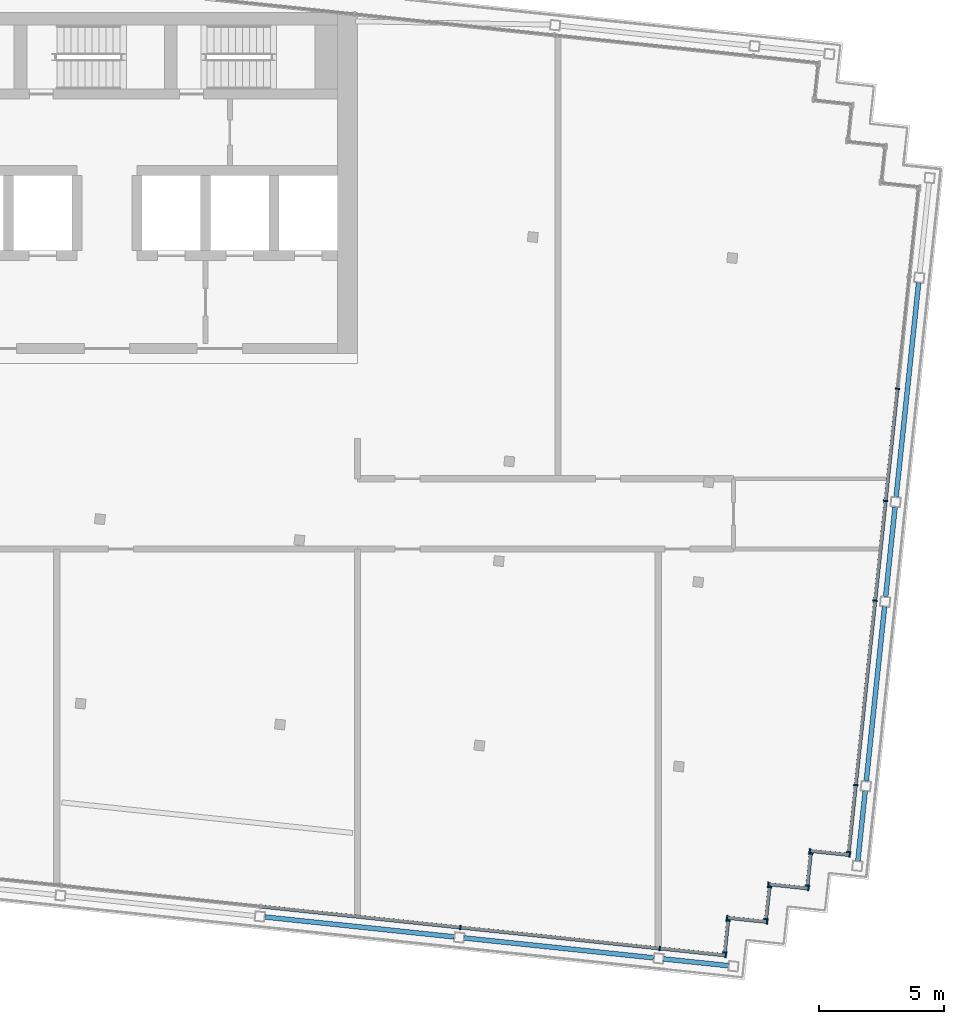
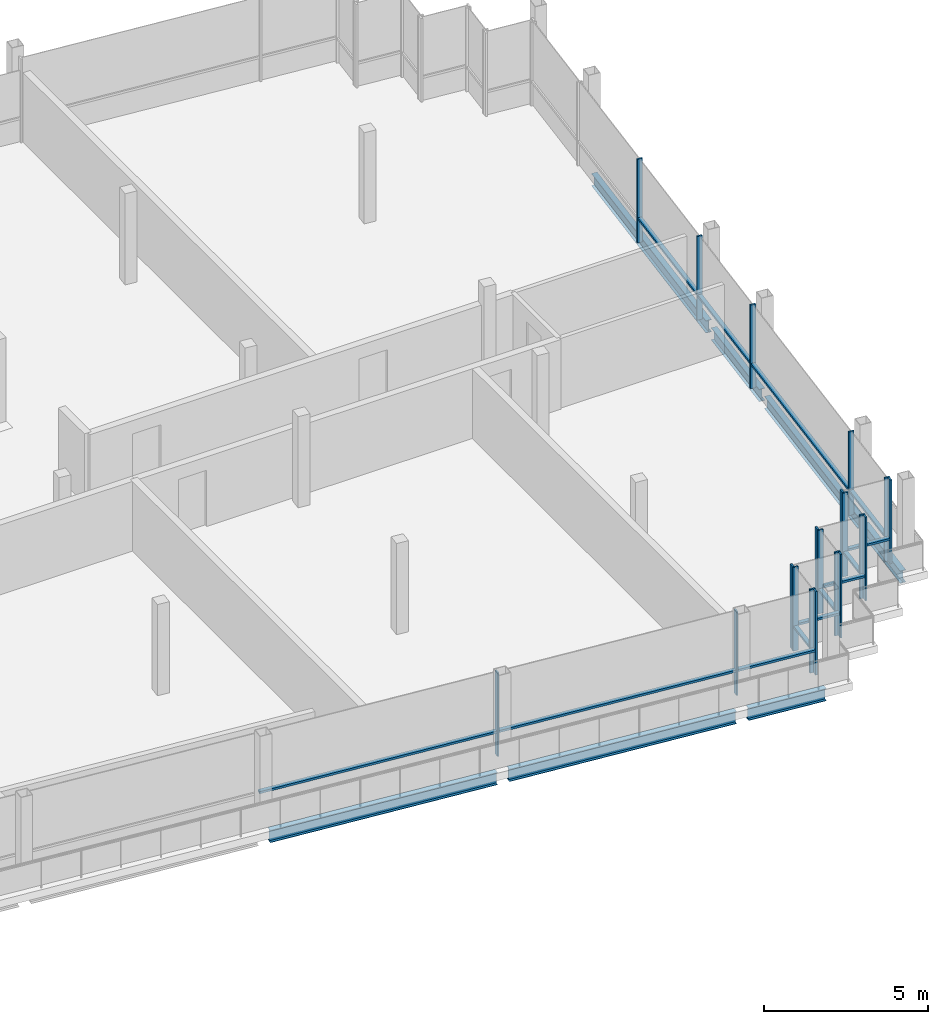
# One storey, part 5 of 15: 33 members, 7 beams, 8 elements without a shape of their own.
"""IFC4 building model written with IfcOpenShell, lengths in metres."""

from ifc_helpers import new_model, si_unit, direction, frame, origin, origin_2d, place, context, subcontext, project, spatial, rectangle, i_section, extrude, material, material_profile, profile_set, type_object, element, aggregate, save


model = new_model("IFC4")

# Units and contexts
model_context = context("Model", 3, precision=1e-05, world=origin(), true_north=direction((0.0, 1.0)))
body_context = subcontext(model_context, "Body", "Model", "MODEL_VIEW")
ifc_project = project(units=[si_unit("LENGTHUNIT", "METRE"), si_unit("AREAUNIT", "SQUARE_METRE"), si_unit("VOLUMEUNIT", "CUBIC_METRE"), si_unit("PLANEANGLEUNIT", "RADIAN"), si_unit("MASSUNIT", "GRAM", prefix="KILO")], contexts=[model_context])

# Site, building, storey
site_placement = place(None, origin())
site = spatial("IfcSite", under=ifc_project, at=site_placement, CompositionType="ELEMENT")
building_placement = place(site_placement, origin())
building = spatial("IfcBuilding", under=site, at=building_placement, Name="Vidyagriha Tower", CompositionType="ELEMENT")
storey_placement = place(building_placement, frame((0.0, 0.0, 294.89990234375)))
storey = spatial("IfcBuildingStorey", under=building, at=storey_placement, Name="L76", CompositionType="ELEMENT", Elevation=294.89990234375)

# Beams
ifc_material_1 = material(Name="Steel ASTM A992 Grade 50", Category="steel")
ifc_material_profile_1 = material_profile(ifc_material_1, i_section(OverallWidth=0.19189453125, OverallDepth=0.46240234375, WebThickness=0.010498046875, FlangeThickness=0.017578125, at=origin_2d()), Name="W18X60")
ifc_profile_set_1 = profile_set([ifc_material_profile_1], Name="Steel ASTM A992 Grade 50")
beam_type = type_object("IfcBeamType", Name="Edge beam W18X60", PredefinedType="SPANDREL", material=ifc_profile_set_1)
beam_1_placement = place(storey_placement, frame((6.299072265625, -16.085693359375, -0.510986328125), z_axis=(0.994521634953, -0.104530940926, 0.0), x_axis=(0.104530940926, 0.994521634953, 0.0)))
element("IfcBeam", 1, at=beam_1_placement, inside=storey, type_object=beam_type, Name="st-beam-L76-S05", PredefinedType="SPANDREL", context=body_context, shape_type="SweptSolid", body=[
    extrude(i_section(OverallWidth=0.19189453125, OverallDepth=0.46240234375, WebThickness=0.010498046875, FlangeThickness=0.017578125, at=origin_2d()), origin(), (0.0, 0.0, 1.0), 7.60009765625),
])
beam_2_placement = place(storey_placement, frame((14.255126953125, -16.922119140625, -0.510986328125), z_axis=(0.994524973995, -0.104499167945, 0.0), x_axis=(0.104499167945, 0.994524973995, 0.0)))
element("IfcBeam", 2, at=beam_2_placement, inside=storey, type_object=beam_type, Name="st-beam-L76-S06", PredefinedType="SPANDREL", context=body_context, shape_type="SweptSolid", body=[
    extrude(i_section(OverallWidth=0.19189453125, OverallDepth=0.46240234375, WebThickness=0.010498046875, FlangeThickness=0.017578125, at=origin_2d()), origin(), (0.0, 0.0, 1.0), 7.599853515625),
])
beam_3_placement = place(storey_placement, frame((22.211181640625, -17.75830078125, -0.510986328125), z_axis=(0.994524472508, -0.104503940512, 0.0), x_axis=(0.104503940512, 0.994524472508, 0.0)))
element("IfcBeam", 3, at=beam_3_placement, inside=storey, type_object=beam_type, Name="st-beam-L76-S07", PredefinedType="SPANDREL", context=body_context, shape_type="SweptSolid", body=[
    extrude(i_section(OverallWidth=0.19189453125, OverallDepth=0.46240234375, WebThickness=0.010498046875, FlangeThickness=0.017578125, at=origin_2d()), origin(), (0.0, 0.0, 1.0), 2.60009765625),
])
beam_4_placement = place(storey_placement, frame((29.962646484375, -13.846923828125, -0.510986328125), z_axis=(0.104553147, 0.994519300694, 0.0), x_axis=(-0.994519300694, 0.104553147, 0.0)))
element("IfcBeam", 4, at=beam_4_placement, inside=storey, type_object=beam_type, Name="st-beam-L76-E13", PredefinedType="SPANDREL", context=body_context, shape_type="SweptSolid", body=[
    extrude(i_section(OverallWidth=0.19189453125, OverallDepth=0.46240234375, WebThickness=0.010498046875, FlangeThickness=0.017578125, at=origin_2d()), origin(), (0.0, 0.0, 1.0), 2.7998046875),
])
beam_5_placement = place(storey_placement, frame((30.297119140625, -10.66455078125, -0.510986328125), z_axis=(0.104526832686, 0.994522066748, 0.0), x_axis=(-0.994522066748, 0.104526832686, 0.0)))
element("IfcBeam", 5, at=beam_5_placement, inside=storey, type_object=beam_type, Name="st-beam-L76-E14", PredefinedType="SPANDREL", context=body_context, shape_type="SweptSolid", body=[
    extrude(i_section(OverallWidth=0.19189453125, OverallDepth=0.46240234375, WebThickness=0.010498046875, FlangeThickness=0.017578125, at=origin_2d()), origin(), (0.0, 0.0, 1.0), 7.0),
])
beam_6_placement = place(storey_placement, frame((31.070556640625, -3.30517578125, -0.510986328125), z_axis=(0.104571819597, 0.994517337479, 0.0), x_axis=(-0.994517337479, 0.104571819597, 0.0)))
element("IfcBeam", 6, at=beam_6_placement, inside=storey, type_object=beam_type, Name="st-beam-L76-E15", PredefinedType="SPANDREL", context=body_context, shape_type="SweptSolid", body=[
    extrude(i_section(OverallWidth=0.19189453125, OverallDepth=0.46240234375, WebThickness=0.010498046875, FlangeThickness=0.017578125, at=origin_2d()), origin(), (0.0, 0.0, 1.0), 3.60009765625),
])
beam_7_placement = place(storey_placement, frame((31.48876953125, 0.673095703125, -0.510986328125), z_axis=(0.104528138401, 0.994521929513, 0.0), x_axis=(-0.994521929513, 0.104528138401, 0.0)))
element("IfcBeam", 7, at=beam_7_placement, inside=storey, type_object=beam_type, Name="st-beam-L76-E16", PredefinedType="SPANDREL", context=body_context, shape_type="SweptSolid", body=[
    extrude(i_section(OverallWidth=0.19189453125, OverallDepth=0.46240234375, WebThickness=0.010498046875, FlangeThickness=0.017578125, at=origin_2d()), origin(), (0.0, 0.0, 1.0), 8.599853515625),
])

# Curtain wall, members
ifc_material_2 = material(Name="Aluminium and glass curtain wall", Category="aluminium")
curtain_wall_type = type_object("IfcCurtainWallType", Name="Lantern glazing wall", PredefinedType="USERDEFINED", material=ifc_material_2)
curtain_wall_1_placement = place(storey_placement, origin())
curtain_wall_1 = element("IfcCurtainWall", 8, at=curtain_wall_1_placement, inside=storey, type_object=curtain_wall_type, Name="CW4 lantern glazing", ObjectType="STICK GLAZING", PredefinedType="USERDEFINED")
ifc_material_3 = material(Name="Aluminium black anodised", Category="aluminium")
ifc_material_profile_2 = material_profile(ifc_material_3, rectangle(XDim=0.179931640625, YDim=0.06005859375, at=origin_2d()), Name="Mullion 60x180 black aluminium")
ifc_profile_set_2 = profile_set([ifc_material_profile_2], Name="Aluminium black anodised")
member_type_1 = type_object("IfcMemberType", Name="Mullion 60x180 black aluminium", PredefinedType="MULLION", material=ifc_profile_set_2)
member_1_placement = place(storey_placement, frame((14.09814453125, -16.503173828125, 0.0), z_axis=(0.0, 0.0, 1.0), x_axis=(0.104528251556, 0.99452191762, 0.0)))
member_1 = element("IfcMember", 9, at=member_1_placement, type_object=member_type_1, Name="CW4 mullion 6", PredefinedType="MULLION", context=body_context, shape_type="SweptSolid", body=[
    extrude(rectangle(XDim=0.179931640625, YDim=0.06005859375, at=origin_2d()), origin(), (0.0, 0.0, 1.0), 3.1201171875),
])
member_2_placement = place(storey_placement, frame((22.05419921875, -17.33935546875, 0.0), z_axis=(0.0, 0.0, 1.0), x_axis=(0.104528251556, 0.99452191762, 0.0)))
member_2 = element("IfcMember", 10, at=member_2_placement, type_object=member_type_1, Name="CW4 mullion 7", PredefinedType="MULLION", context=body_context, shape_type="SweptSolid", body=[
    extrude(rectangle(XDim=0.179931640625, YDim=0.06005859375, at=origin_2d()), origin(), (0.0, 0.0, 1.0), 3.1201171875),
])
member_3_placement = place(storey_placement, frame((24.689697265625, -17.616455078125, 0.0), z_axis=(0.0, 0.0, 1.0), x_axis=(0.104528251556, 0.99452191762, 0.0)))
member_3 = element("IfcMember", 11, at=member_3_placement, type_object=member_type_1, Name="CW4 mullion 8", PredefinedType="MULLION", context=body_context, shape_type="SweptSolid", body=[
    extrude(rectangle(XDim=0.179931640625, YDim=0.06005859375, at=origin_2d()), origin(), (0.0, 0.0, 1.0), 3.1201171875),
])

curtain_wall_2_placement = place(storey_placement, origin())
curtain_wall_2 = element("IfcCurtainWall", 12, at=curtain_wall_2_placement, inside=storey, type_object=curtain_wall_type, Name="CW4 lantern glazing", ObjectType="STICK GLAZING", PredefinedType="USERDEFINED")
member_4_placement = place(storey_placement, frame((24.651611328125, -17.501953125, 0.0), z_axis=(0.0, 0.0, 1.0), x_axis=(-0.994518939392, 0.104556583677, 0.0)))
member_4 = element("IfcMember", 13, at=member_4_placement, type_object=member_type_1, Name="CW4 mullion 1", PredefinedType="MULLION", context=body_context, shape_type="SweptSolid", body=[
    extrude(rectangle(XDim=0.179931640625, YDim=0.06005859375, at=origin_2d()), origin(), (0.0, 0.0, 1.0), 3.1201171875),
])
member_5_placement = place(storey_placement, frame((24.785400390625, -16.22900390625, 0.0), z_axis=(0.0, 0.0, 1.0), x_axis=(-0.994518939392, 0.104556583677, 0.0)))
member_5 = element("IfcMember", 14, at=member_5_placement, type_object=member_type_1, Name="CW4 mullion 2", PredefinedType="MULLION", context=body_context, shape_type="SweptSolid", body=[
    extrude(rectangle(XDim=0.179931640625, YDim=0.06005859375, at=origin_2d()), origin(), (0.0, 0.0, 1.0), 3.1201171875),
])

curtain_wall_3_placement = place(storey_placement, origin())
curtain_wall_3 = element("IfcCurtainWall", 15, at=curtain_wall_3_placement, inside=storey, type_object=curtain_wall_type, Name="CW4 lantern glazing", ObjectType="STICK GLAZING", PredefinedType="USERDEFINED")
member_6_placement = place(storey_placement, frame((24.7470703125, -16.1142578125, 0.0), z_axis=(0.0, 0.0, 1.0), x_axis=(0.104518583201, 0.994522933756, 0.0)))
member_6 = element("IfcMember", 16, at=member_6_placement, type_object=member_type_1, Name="CW4 mullion 1", PredefinedType="MULLION", context=body_context, shape_type="SweptSolid", body=[
    extrude(rectangle(XDim=0.179931640625, YDim=0.06005859375, at=origin_2d()), origin(), (0.0, 0.0, 1.0), 3.1201171875),
])
member_7_placement = place(storey_placement, frame((26.33837890625, -16.281494140625, 0.0), z_axis=(0.0, 0.0, 1.0), x_axis=(0.104518583201, 0.994522933756, 0.0)))
member_7 = element("IfcMember", 17, at=member_7_placement, type_object=member_type_1, Name="CW4 mullion 2", PredefinedType="MULLION", context=body_context, shape_type="SweptSolid", body=[
    extrude(rectangle(XDim=0.179931640625, YDim=0.06005859375, at=origin_2d()), origin(), (0.0, 0.0, 1.0), 3.1201171875),
])

curtain_wall_4_placement = place(storey_placement, origin())
curtain_wall_4 = element("IfcCurtainWall", 18, at=curtain_wall_4_placement, inside=storey, type_object=curtain_wall_type, Name="CW4 lantern glazing", ObjectType="STICK GLAZING", PredefinedType="USERDEFINED")
member_8_placement = place(storey_placement, frame((26.300048828125, -16.1669921875, 0.0), z_axis=(0.0, 0.0, 1.0), x_axis=(-0.994519755162, 0.104548823962, 0.0)))
member_8 = element("IfcMember", 19, at=member_8_placement, type_object=member_type_1, Name="CW4 mullion 1", PredefinedType="MULLION", context=body_context, shape_type="SweptSolid", body=[
    extrude(rectangle(XDim=0.179931640625, YDim=0.06005859375, at=origin_2d()), origin(), (0.0, 0.0, 1.0), 3.1201171875),
])
member_9_placement = place(storey_placement, frame((26.43408203125, -14.89404296875, 0.0), z_axis=(0.0, 0.0, 1.0), x_axis=(-0.994519755162, 0.104548823962, 0.0)))
member_9 = element("IfcMember", 20, at=member_9_placement, type_object=member_type_1, Name="CW4 mullion 2", PredefinedType="MULLION", context=body_context, shape_type="SweptSolid", body=[
    extrude(rectangle(XDim=0.179931640625, YDim=0.06005859375, at=origin_2d()), origin(), (0.0, 0.0, 1.0), 3.1201171875),
])

curtain_wall_5_placement = place(storey_placement, origin())
curtain_wall_5 = element("IfcCurtainWall", 21, at=curtain_wall_5_placement, inside=storey, type_object=curtain_wall_type, Name="CW4 lantern glazing", ObjectType="STICK GLAZING", PredefinedType="USERDEFINED")
member_10_placement = place(storey_placement, frame((26.395751953125, -14.779296875, 0.0), z_axis=(0.0, 0.0, 1.0), x_axis=(0.104518583201, 0.994522933756, 0.0)))
member_10 = element("IfcMember", 22, at=member_10_placement, type_object=member_type_1, Name="CW4 mullion 1", PredefinedType="MULLION", context=body_context, shape_type="SweptSolid", body=[
    extrude(rectangle(XDim=0.179931640625, YDim=0.06005859375, at=origin_2d()), origin(), (0.0, 0.0, 1.0), 3.1201171875),
])
member_11_placement = place(storey_placement, frame((27.98681640625, -14.946533203125, 0.0), z_axis=(0.0, 0.0, 1.0), x_axis=(0.104518583201, 0.994522933756, 0.0)))
member_11 = element("IfcMember", 23, at=member_11_placement, type_object=member_type_1, Name="CW4 mullion 2", PredefinedType="MULLION", context=body_context, shape_type="SweptSolid", body=[
    extrude(rectangle(XDim=0.179931640625, YDim=0.06005859375, at=origin_2d()), origin(), (0.0, 0.0, 1.0), 3.1201171875),
])

curtain_wall_6_placement = place(storey_placement, origin())
curtain_wall_6 = element("IfcCurtainWall", 24, at=curtain_wall_6_placement, inside=storey, type_object=curtain_wall_type, Name="CW4 lantern glazing", ObjectType="STICK GLAZING", PredefinedType="USERDEFINED")
member_12_placement = place(storey_placement, frame((27.94873046875, -14.83203125, 0.0), z_axis=(0.0, 0.0, 1.0), x_axis=(-0.994519755162, 0.104548823962, 0.0)))
member_12 = element("IfcMember", 25, at=member_12_placement, type_object=member_type_1, Name="CW4 mullion 1", PredefinedType="MULLION", context=body_context, shape_type="SweptSolid", body=[
    extrude(rectangle(XDim=0.179931640625, YDim=0.06005859375, at=origin_2d()), origin(), (0.0, 0.0, 1.0), 3.1201171875),
])
member_13_placement = place(storey_placement, frame((28.08251953125, -13.558837890625, 0.0), z_axis=(0.0, 0.0, 1.0), x_axis=(-0.994519755162, 0.104548823962, 0.0)))
member_13 = element("IfcMember", 26, at=member_13_placement, type_object=member_type_1, Name="CW4 mullion 2", PredefinedType="MULLION", context=body_context, shape_type="SweptSolid", body=[
    extrude(rectangle(XDim=0.179931640625, YDim=0.06005859375, at=origin_2d()), origin(), (0.0, 0.0, 1.0), 3.1201171875),
])

curtain_wall_7_placement = place(storey_placement, origin())
curtain_wall_7 = element("IfcCurtainWall", 27, at=curtain_wall_7_placement, inside=storey, type_object=curtain_wall_type, Name="CW4 lantern glazing", ObjectType="STICK GLAZING", PredefinedType="USERDEFINED")
member_14_placement = place(storey_placement, frame((28.044189453125, -13.4443359375, 0.0), z_axis=(0.0, 0.0, 1.0), x_axis=(0.104512321721, 0.994523591781, 0.0)))
member_14 = element("IfcMember", 28, at=member_14_placement, type_object=member_type_1, Name="CW4 mullion 1", PredefinedType="MULLION", context=body_context, shape_type="SweptSolid", body=[
    extrude(rectangle(XDim=0.179931640625, YDim=0.06005859375, at=origin_2d()), origin(), (0.0, 0.0, 1.0), 3.1201171875),
])
member_15_placement = place(storey_placement, frame((29.635498046875, -13.611572265625, 0.0), z_axis=(0.0, 0.0, 1.0), x_axis=(0.104512321721, 0.994523591781, 0.0)))
member_15 = element("IfcMember", 29, at=member_15_placement, type_object=member_type_1, Name="CW4 mullion 2", PredefinedType="MULLION", context=body_context, shape_type="SweptSolid", body=[
    extrude(rectangle(XDim=0.179931640625, YDim=0.06005859375, at=origin_2d()), origin(), (0.0, 0.0, 1.0), 3.1201171875),
])

curtain_wall_8_placement = place(storey_placement, origin())
curtain_wall_8 = element("IfcCurtainWall", 30, at=curtain_wall_8_placement, inside=storey, type_object=curtain_wall_type, Name="CW4 lantern glazing", ObjectType="STICK GLAZING", PredefinedType="USERDEFINED")
member_16_placement = place(storey_placement, frame((29.59716796875, -13.4970703125, 0.0), z_axis=(0.0, 0.0, 1.0), x_axis=(-0.994522059728, 0.104526899479, 0.0)))
member_16 = element("IfcMember", 31, at=member_16_placement, type_object=member_type_1, Name="CW4 mullion 1", PredefinedType="MULLION", context=body_context, shape_type="SweptSolid", body=[
    extrude(rectangle(XDim=0.179931640625, YDim=0.06005859375, at=origin_2d()), origin(), (0.0, 0.0, 1.0), 3.1201171875),
])
member_17_placement = place(storey_placement, frame((29.87841796875, -10.82177734375, 0.0), z_axis=(0.0, 0.0, 1.0), x_axis=(-0.994522059728, 0.104526899479, 0.0)))
member_17 = element("IfcMember", 32, at=member_17_placement, type_object=member_type_1, Name="CW4 mullion 2", PredefinedType="MULLION", context=body_context, shape_type="SweptSolid", body=[
    extrude(rectangle(XDim=0.179931640625, YDim=0.06005859375, at=origin_2d()), origin(), (0.0, 0.0, 1.0), 3.1201171875),
])
member_18_placement = place(storey_placement, frame((30.65185546875, -3.462158203125, 0.0), z_axis=(0.0, 0.0, 1.0), x_axis=(-0.994522059728, 0.104526899479, 0.0)))
member_18 = element("IfcMember", 33, at=member_18_placement, type_object=member_type_1, Name="CW4 mullion 3", PredefinedType="MULLION", context=body_context, shape_type="SweptSolid", body=[
    extrude(rectangle(XDim=0.179931640625, YDim=0.06005859375, at=origin_2d()), origin(), (0.0, 0.0, 1.0), 3.1201171875),
])
member_19_placement = place(storey_placement, frame((31.070068359375, 0.515869140625, 0.0), z_axis=(0.0, 0.0, 1.0), x_axis=(-0.994522059728, 0.104526899479, 0.0)))
member_19 = element("IfcMember", 34, at=member_19_placement, type_object=member_type_1, Name="CW4 mullion 4", PredefinedType="MULLION", context=body_context, shape_type="SweptSolid", body=[
    extrude(rectangle(XDim=0.179931640625, YDim=0.06005859375, at=origin_2d()), origin(), (0.0, 0.0, 1.0), 3.1201171875),
])
member_20_placement = place(storey_placement, frame((31.540283203125, 4.9912109375, 0.0), z_axis=(0.0, 0.0, 1.0), x_axis=(-0.994522059728, 0.104526899479, 0.0)))
member_20 = element("IfcMember", 35, at=member_20_placement, type_object=member_type_1, Name="CW4 mullion 5", PredefinedType="MULLION", context=body_context, shape_type="SweptSolid", body=[
    extrude(rectangle(XDim=0.179931640625, YDim=0.06005859375, at=origin_2d()), origin(), (0.0, 0.0, 1.0), 3.1201171875),
])

# Member
ifc_material_4 = material(Name="Aluminium black anodised", Category="aluminium")
ifc_material_profile_3 = material_profile(ifc_material_4, rectangle(XDim=0.139892578125, YDim=0.080078125, at=origin_2d()), Name="Transom 80x140 black aluminium")
ifc_profile_set_3 = profile_set([ifc_material_profile_3], Name="Aluminium black anodised")
member_type_2 = type_object("IfcMemberType", Name="Transom 80x140 black aluminium", PredefinedType="USERDEFINED", material=ifc_profile_set_3)
member_21_placement = place(storey_placement, frame((6.171630859375, -15.670166015625, 0.900146484375), z_axis=(0.994523801804, -0.104510323151, 0.0), x_axis=(0.104510323151, 0.994523801804, 0.0)))
member_21 = element("IfcMember", 36, at=member_21_placement, type_object=member_type_2, Name="CW4 transom 5.1", ObjectType="TRANSOM", PredefinedType="USERDEFINED", context=body_context, shape_type="SweptSolid", body=[
    extrude(rectangle(XDim=0.139892578125, YDim=0.080078125, at=origin_2d()), origin(), (0.0, 0.0, 1.0), 7.940185546875),
])

member_22_placement = place(storey_placement, frame((14.1279296875, -16.50634765625, 0.900146484375), z_axis=(0.994520269484, -0.10454393137, 0.0), x_axis=(0.10454393137, 0.994520269484, 0.0)))
member_22 = element("IfcMember", 37, at=member_22_placement, type_object=member_type_2, Name="CW4 transom 6.1", ObjectType="TRANSOM", PredefinedType="USERDEFINED", context=body_context, shape_type="SweptSolid", body=[
    extrude(rectangle(XDim=0.139892578125, YDim=0.080078125, at=origin_2d()), origin(), (0.0, 0.0, 1.0), 7.93994140625),
])

member_23_placement = place(storey_placement, frame((22.084228515625, -17.342529296875, 0.900146484375), z_axis=(0.994520422208, -0.104542478505, 0.0), x_axis=(0.104542478505, 0.994520422208, 0.0)))
member_23 = element("IfcMember", 38, at=member_23_placement, type_object=member_type_2, Name="CW4 transom 7.1", ObjectType="TRANSOM", PredefinedType="USERDEFINED", context=body_context, shape_type="SweptSolid", body=[
    extrude(rectangle(XDim=0.139892578125, YDim=0.080078125, at=origin_2d()), origin(), (0.0, 0.0, 1.0), 2.58984375),
])

aggregate(curtain_wall_1, [member_1, member_2, member_3, member_21, member_22, member_23])

member_24_placement = place(storey_placement, frame((24.65478515625, -17.471923828125, 0.900146484375), z_axis=(0.104476410646, 0.994527364942, 0.0), x_axis=(-0.994527364942, 0.104476410646, 0.0)))
member_24 = element("IfcMember", 39, at=member_24_placement, type_object=member_type_2, Name="CW4 transom 1.1", ObjectType="TRANSOM", PredefinedType="USERDEFINED", context=body_context, shape_type="SweptSolid", body=[
    extrude(rectangle(XDim=0.139892578125, YDim=0.080078125, at=origin_2d()), origin(), (0.0, 0.0, 1.0), 1.2197265625),
])

aggregate(curtain_wall_2, [member_4, member_5, member_24])

member_25_placement = place(storey_placement, frame((24.77685546875, -16.117431640625, 0.900146484375), z_axis=(0.994528879637, -0.104461991023, 0.0), x_axis=(0.104461991023, 0.994528879637, 0.0)))
member_25 = element("IfcMember", 40, at=member_25_placement, type_object=member_type_2, Name="CW4 transom 1.1", ObjectType="TRANSOM", PredefinedType="USERDEFINED", context=body_context, shape_type="SweptSolid", body=[
    extrude(rectangle(XDim=0.139892578125, YDim=0.080078125, at=origin_2d()), origin(), (0.0, 0.0, 1.0), 1.540283203125),
])

aggregate(curtain_wall_3, [member_6, member_7, member_25])

member_26_placement = place(storey_placement, frame((26.30322265625, -16.13720703125, 0.900146484375), z_axis=(0.104653535604, 0.994508741784, 0.0), x_axis=(-0.994508741784, 0.104653535604, 0.0)))
member_26 = element("IfcMember", 41, at=member_26_placement, type_object=member_type_2, Name="CW4 transom 1.1", ObjectType="TRANSOM", PredefinedType="USERDEFINED", context=body_context, shape_type="SweptSolid", body=[
    extrude(rectangle(XDim=0.139892578125, YDim=0.080078125, at=origin_2d()), origin(), (0.0, 0.0, 1.0), 1.219970703125),
])

aggregate(curtain_wall_4, [member_8, member_9, member_26])

member_27_placement = place(storey_placement, frame((26.425537109375, -14.782470703125, 0.900146484375), z_axis=(0.994527149453, -0.104478461899, 0.0), x_axis=(0.104478461899, 0.994527149453, 0.0)))
member_27 = element("IfcMember", 42, at=member_27_placement, type_object=member_type_2, Name="CW4 transom 1.1", ObjectType="TRANSOM", PredefinedType="USERDEFINED", context=body_context, shape_type="SweptSolid", body=[
    extrude(rectangle(XDim=0.139892578125, YDim=0.080078125, at=origin_2d()), origin(), (0.0, 0.0, 1.0), 1.5400390625),
])

aggregate(curtain_wall_5, [member_10, member_11, member_27])

member_28_placement = place(storey_placement, frame((27.95166015625, -14.80224609375, 0.900146484375), z_axis=(0.104653535604, 0.994508741784, 0.0), x_axis=(-0.994508741784, 0.104653535604, 0.0)))
member_28 = element("IfcMember", 43, at=member_28_placement, type_object=member_type_2, Name="CW4 transom 1.1", ObjectType="TRANSOM", PredefinedType="USERDEFINED", context=body_context, shape_type="SweptSolid", body=[
    extrude(rectangle(XDim=0.139892578125, YDim=0.080078125, at=origin_2d()), origin(), (0.0, 0.0, 1.0), 1.219970703125),
])

aggregate(curtain_wall_6, [member_12, member_13, member_28])

member_29_placement = place(storey_placement, frame((28.073974609375, -13.447509765625, 0.900146484375), z_axis=(0.994528879637, -0.104461991023, 0.0), x_axis=(0.104461991023, 0.994528879637, 0.0)))
member_29 = element("IfcMember", 44, at=member_29_placement, type_object=member_type_2, Name="CW4 transom 1.1", ObjectType="TRANSOM", PredefinedType="USERDEFINED", context=body_context, shape_type="SweptSolid", body=[
    extrude(rectangle(XDim=0.139892578125, YDim=0.080078125, at=origin_2d()), origin(), (0.0, 0.0, 1.0), 1.540283203125),
])

aggregate(curtain_wall_7, [member_14, member_15, member_29])

member_30_placement = place(storey_placement, frame((29.600341796875, -13.467041015625, 0.900146484375), z_axis=(0.104530146087, 0.994521718495, 0.0), x_axis=(-0.994521718495, 0.104530146087, 0.0)))
member_30 = element("IfcMember", 45, at=member_30_placement, type_object=member_type_2, Name="CW4 transom 1.1", ObjectType="TRANSOM", PredefinedType="USERDEFINED", context=body_context, shape_type="SweptSolid", body=[
    extrude(rectangle(XDim=0.139892578125, YDim=0.080078125, at=origin_2d()), origin(), (0.0, 0.0, 1.0), 2.6298828125),
])

member_31_placement = place(storey_placement, frame((29.881591796875, -10.791748046875, 0.900146484375), z_axis=(0.104508177052, 0.994524027326, 0.0), x_axis=(-0.994524027326, 0.104508177052, 0.0)))
member_31 = element("IfcMember", 46, at=member_31_placement, type_object=member_type_2, Name="CW4 transom 2.1", ObjectType="TRANSOM", PredefinedType="USERDEFINED", context=body_context, shape_type="SweptSolid", body=[
    extrude(rectangle(XDim=0.139892578125, YDim=0.080078125, at=origin_2d()), origin(), (0.0, 0.0, 1.0), 7.340087890625),
])

member_32_placement = place(storey_placement, frame((30.655029296875, -3.432373046875, 0.900146484375), z_axis=(0.104533183829, 0.994521399206, 0.0), x_axis=(-0.994521399206, 0.104533183829, 0.0)))
member_32 = element("IfcMember", 47, at=member_32_placement, type_object=member_type_2, Name="CW4 transom 3.1", ObjectType="TRANSOM", PredefinedType="USERDEFINED", context=body_context, shape_type="SweptSolid", body=[
    extrude(rectangle(XDim=0.139892578125, YDim=0.080078125, at=origin_2d()), origin(), (0.0, 0.0, 1.0), 3.93994140625),
])

member_33_placement = place(storey_placement, frame((31.0732421875, 0.545654296875, 0.900146484375), z_axis=(0.104527359082, 0.994522011422, 0.0), x_axis=(-0.994522011422, 0.104527359082, 0.0)))
member_33 = element("IfcMember", 48, at=member_33_placement, type_object=member_type_2, Name="CW4 transom 4.1", ObjectType="TRANSOM", PredefinedType="USERDEFINED", context=body_context, shape_type="SweptSolid", body=[
    extrude(rectangle(XDim=0.139892578125, YDim=0.080078125, at=origin_2d()), origin(), (0.0, 0.0, 1.0), 4.440185546875),
])

aggregate(curtain_wall_8, [member_16, member_17, member_18, member_19, member_20, member_30, member_31, member_32, member_33])

save(model, "model.ifc")
